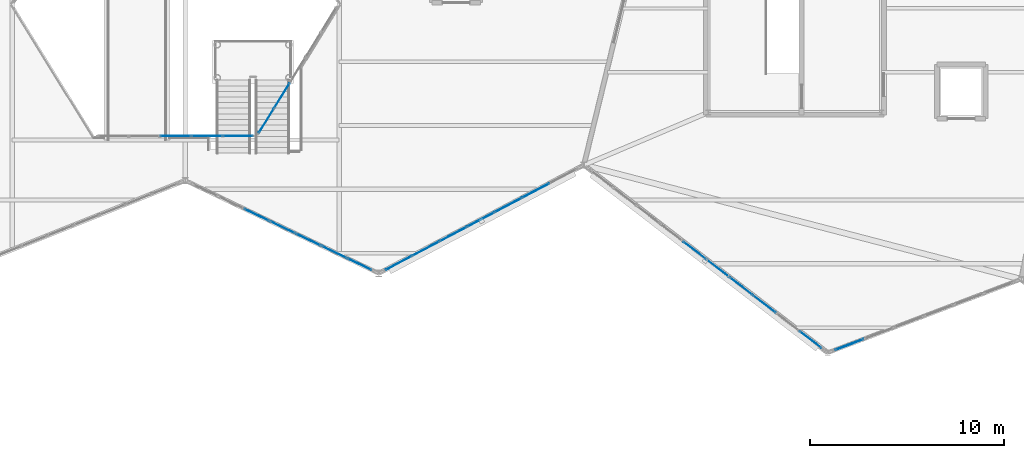
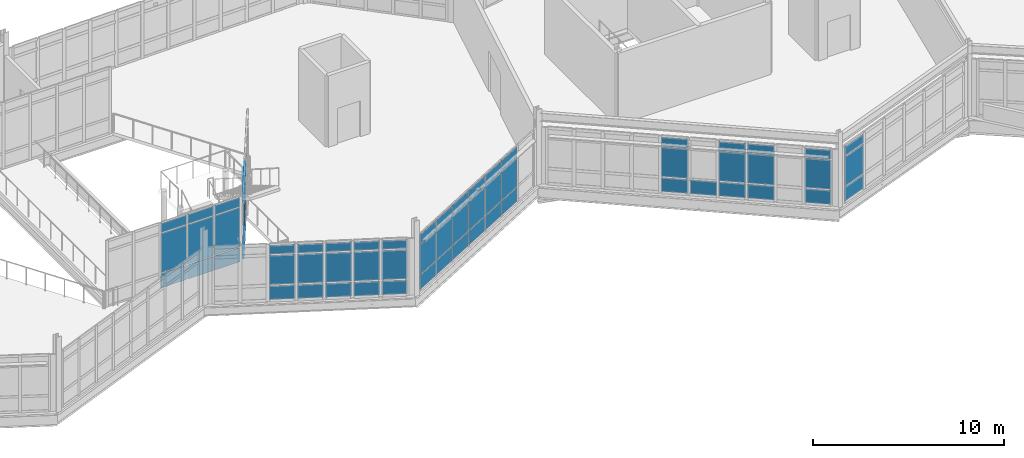
# One storey, part 46 of 76: 64 plates, 6 elements without a shape of their own.
"""IFC4 building model written with IfcOpenShell, lengths in metres."""

from ifc_helpers import new_model, si_unit, direction, frame, origin, origin_2d, place, context, subcontext, project, spatial, rectangle, extrude, material, layer, layer_set, type_object, element, aggregate, save


model = new_model("IFC4")

# Units and contexts
model_context = context("Model", 3, precision=1e-05, world=origin(), true_north=direction((0.0, 1.0)))
body_context = subcontext(model_context, "Body", "Model", "MODEL_VIEW")
ifc_project = project(units=[si_unit("LENGTHUNIT", "METRE"), si_unit("AREAUNIT", "SQUARE_METRE"), si_unit("VOLUMEUNIT", "CUBIC_METRE"), si_unit("PLANEANGLEUNIT", "RADIAN"), si_unit("MASSUNIT", "GRAM", prefix="KILO")], contexts=[model_context])

# Site, building, storey
site_placement = place(None, origin())
site = spatial("IfcSite", under=ifc_project, at=site_placement, CompositionType="ELEMENT")
building_placement = place(site_placement, origin())
building = spatial("IfcBuilding", under=site, at=building_placement, Name="Tameran Prism Museum", CompositionType="ELEMENT")
storey_placement = place(building_placement, frame((0.0, 0.0, 15.0)))
storey = spatial("IfcBuildingStorey", under=building, at=storey_placement, Name="L03", CompositionType="ELEMENT", Elevation=15.0)

# Curtain wall, plates
ifc_material_1 = material(Name="Anodised Aluminium 6063-T6 and Cyclone Solar Glass", Category="aluminium")
curtain_wall_type_1 = type_object("IfcCurtainWallType", Name="CW-ATR-810x424", PredefinedType="USERDEFINED", material=ifc_material_1)
curtain_wall_1_placement = place(storey_placement, origin())
curtain_wall_1 = element("IfcCurtainWall", 1, at=curtain_wall_1_placement, inside=storey, type_object=curtain_wall_type_1, Name="Unitised Curtain Wall CW-011", ObjectType="UNITISED CURTAIN WALL", PredefinedType="USERDEFINED")
ifc_material_2 = material(Name="Low-E Laminated Solar Glass", Category="glass")
ifc_layer_1 = layer(ifc_material_2, 0.028076171875)
ifc_layer_set_1 = layer_set([ifc_layer_1])
plate_type_1 = type_object("IfcPlateType", Name="CW-PNL-G28", PredefinedType="CURTAIN_PANEL", material=ifc_layer_set_1)
plate_1_placement = place(storey_placement, frame((77.0, 29.699951171875, 0.06494140625), z_axis=(0.0, 0.0, 1.0), x_axis=(1.0, 0.0, 0.0)))
plate_1 = element("IfcPlate", 2, at=plate_1_placement, type_object=plate_type_1, Name="CW-011 panel 3.1", PredefinedType="CURTAIN_PANEL", context=body_context, shape_type="SweptSolid", body=[
    extrude(rectangle(XDim=1.554931640625, YDim=0.028076171875, at=origin_2d()), origin(), (0.0, 0.0, 1.0), 0.902587890625),
])
plate_2_placement = place(storey_placement, frame((77.0, 29.699951171875, 1.032470703125), z_axis=(0.0, 0.0, 1.0), x_axis=(1.0, 0.0, 0.0)))
plate_2 = element("IfcPlate", 3, at=plate_2_placement, type_object=plate_type_1, Name="CW-011 panel 3.2", PredefinedType="CURTAIN_PANEL", context=body_context, shape_type="SweptSolid", body=[
    extrude(rectangle(XDim=1.554931640625, YDim=0.028076171875, at=origin_2d()), origin(), (0.0, 0.0, 1.0), 2.4951171875),
])
plate_3_placement = place(storey_placement, frame((77.0, 29.699951171875, 3.592529296875), z_axis=(0.0, 0.0, 1.0), x_axis=(1.0, 0.0, 0.0)))
plate_3 = element("IfcPlate", 4, at=plate_3_placement, type_object=plate_type_1, Name="CW-011 panel 3.3", PredefinedType="CURTAIN_PANEL", context=body_context, shape_type="SweptSolid", body=[
    extrude(rectangle(XDim=1.554931640625, YDim=0.028076171875, at=origin_2d()), origin(), (0.0, 0.0, 1.0), 0.58251953125),
])
plate_4_placement = place(storey_placement, frame((78.6201171875, 29.699951171875, 0.06494140625), z_axis=(0.0, 0.0, 1.0), x_axis=(1.0, 0.0, 0.0)))
plate_4 = element("IfcPlate", 5, at=plate_4_placement, type_object=plate_type_1, Name="CW-011 panel 4.1", PredefinedType="CURTAIN_PANEL", context=body_context, shape_type="SweptSolid", body=[
    extrude(rectangle(XDim=1.554931640625, YDim=0.028076171875, at=origin_2d()), origin(), (0.0, 0.0, 1.0), 0.902587890625),
])
plate_5_placement = place(storey_placement, frame((78.6201171875, 29.699951171875, 1.032470703125), z_axis=(0.0, 0.0, 1.0), x_axis=(1.0, 0.0, 0.0)))
plate_5 = element("IfcPlate", 6, at=plate_5_placement, type_object=plate_type_1, Name="CW-011 panel 4.2", PredefinedType="CURTAIN_PANEL", context=body_context, shape_type="SweptSolid", body=[
    extrude(rectangle(XDim=1.554931640625, YDim=0.028076171875, at=origin_2d()), origin(), (0.0, 0.0, 1.0), 2.4951171875),
])
plate_6_placement = place(storey_placement, frame((78.6201171875, 29.699951171875, 3.592529296875), z_axis=(0.0, 0.0, 1.0), x_axis=(1.0, 0.0, 0.0)))
plate_6 = element("IfcPlate", 7, at=plate_6_placement, type_object=plate_type_1, Name="CW-011 panel 4.3", PredefinedType="CURTAIN_PANEL", context=body_context, shape_type="SweptSolid", body=[
    extrude(rectangle(XDim=1.554931640625, YDim=0.028076171875, at=origin_2d()), origin(), (0.0, 0.0, 1.0), 0.58251953125),
])
plate_7_placement = place(storey_placement, frame((80.2236328125, 29.699951171875, 0.06494140625), z_axis=(0.0, 0.0, 1.0), x_axis=(1.0, 0.0, 0.0)))
plate_7 = element("IfcPlate", 8, at=plate_7_placement, type_object=plate_type_1, Name="CW-011 panel 5.1", PredefinedType="CURTAIN_PANEL", context=body_context, shape_type="SweptSolid", body=[
    extrude(rectangle(XDim=1.5224609375, YDim=0.028076171875, at=origin_2d()), origin(), (0.0, 0.0, 1.0), 0.902587890625),
])
plate_8_placement = place(storey_placement, frame((80.2236328125, 29.699951171875, 1.032470703125), z_axis=(0.0, 0.0, 1.0), x_axis=(1.0, 0.0, 0.0)))
plate_8 = element("IfcPlate", 9, at=plate_8_placement, type_object=plate_type_1, Name="CW-011 panel 5.2", PredefinedType="CURTAIN_PANEL", context=body_context, shape_type="SweptSolid", body=[
    extrude(rectangle(XDim=1.5224609375, YDim=0.028076171875, at=origin_2d()), origin(), (0.0, 0.0, 1.0), 2.4951171875),
])
plate_9_placement = place(storey_placement, frame((80.2236328125, 29.699951171875, 3.592529296875), z_axis=(0.0, 0.0, 1.0), x_axis=(1.0, 0.0, 0.0)))
plate_9 = element("IfcPlate", 10, at=plate_9_placement, type_object=plate_type_1, Name="CW-011 panel 5.3", PredefinedType="CURTAIN_PANEL", context=body_context, shape_type="SweptSolid", body=[
    extrude(rectangle(XDim=1.5224609375, YDim=0.028076171875, at=origin_2d()), origin(), (0.0, 0.0, 1.0), 0.58251953125),
])
aggregate(curtain_wall_1, [plate_1, plate_2, plate_3, plate_4, plate_5, plate_6, plate_7, plate_8, plate_9])

ifc_material_3 = material(Name="Anodised Aluminium 6063-T6 and Cyclone Solar Glass", Category="aluminium")
curtain_wall_type_2 = type_object("IfcCurtainWallType", Name="CW-ATR-769x424", PredefinedType="USERDEFINED", material=ifc_material_3)
curtain_wall_2_placement = place(storey_placement, origin())
curtain_wall_2 = element("IfcCurtainWall", 11, at=curtain_wall_2_placement, inside=storey, type_object=curtain_wall_type_2, Name="Unitised Curtain Wall CW-012", ObjectType="UNITISED CURTAIN WALL", PredefinedType="USERDEFINED")
plate_10_placement = place(storey_placement, frame((81.691650390625, 30.496337890625, 0.06494140625), z_axis=(0.0, 0.0, 1.0), x_axis=(0.525503952357, 0.850791158897, 0.0)))
plate_10 = element("IfcPlate", 12, at=plate_10_placement, type_object=plate_type_1, Name="CW-012 panel 1.1", PredefinedType="CURTAIN_PANEL", context=body_context, shape_type="SweptSolid", body=[
    extrude(rectangle(XDim=1.44091796875, YDim=0.028076171875, at=origin_2d()), origin(), (0.0, 0.0, 1.0), 0.902587890625),
])
plate_11_placement = place(storey_placement, frame((81.691650390625, 30.496337890625, 1.032470703125), z_axis=(0.0, 0.0, 1.0), x_axis=(0.525503952357, 0.850791158897, 0.0)))
plate_11 = element("IfcPlate", 13, at=plate_11_placement, type_object=plate_type_1, Name="CW-012 panel 1.2", PredefinedType="CURTAIN_PANEL", context=body_context, shape_type="SweptSolid", body=[
    extrude(rectangle(XDim=1.44091796875, YDim=0.028076171875, at=origin_2d()), origin(), (0.0, 0.0, 1.0), 2.4951171875),
])
plate_12_placement = place(storey_placement, frame((81.691650390625, 30.496337890625, 3.592529296875), z_axis=(0.0, 0.0, 1.0), x_axis=(0.525503952357, 0.850791158897, 0.0)))
plate_12 = element("IfcPlate", 14, at=plate_12_placement, type_object=plate_type_1, Name="CW-012 panel 1.3", PredefinedType="CURTAIN_PANEL", context=body_context, shape_type="SweptSolid", body=[
    extrude(rectangle(XDim=1.44091796875, YDim=0.028076171875, at=origin_2d()), origin(), (0.0, 0.0, 1.0), 0.58251953125),
])
plate_13_placement = place(storey_placement, frame((82.49169921875, 31.791259765625, 0.06494140625), z_axis=(0.0, 0.0, 1.0), x_axis=(0.525503952357, 0.850791158897, 0.0)))
plate_13 = element("IfcPlate", 15, at=plate_13_placement, type_object=plate_type_1, Name="CW-012 panel 2.1", PredefinedType="CURTAIN_PANEL", context=body_context, shape_type="SweptSolid", body=[
    extrude(rectangle(XDim=1.473388671875, YDim=0.028076171875, at=origin_2d()), origin(), (0.0, 0.0, 1.0), 0.902587890625),
])
plate_14_placement = place(storey_placement, frame((82.49169921875, 31.791259765625, 1.032470703125), z_axis=(0.0, 0.0, 1.0), x_axis=(0.525503952357, 0.850791158897, 0.0)))
plate_14 = element("IfcPlate", 16, at=plate_14_placement, type_object=plate_type_1, Name="CW-012 panel 2.2", PredefinedType="CURTAIN_PANEL", context=body_context, shape_type="SweptSolid", body=[
    extrude(rectangle(XDim=1.473388671875, YDim=0.028076171875, at=origin_2d()), origin(), (0.0, 0.0, 1.0), 2.4951171875),
])
plate_15_placement = place(storey_placement, frame((82.49169921875, 31.791259765625, 3.592529296875), z_axis=(0.0, 0.0, 1.0), x_axis=(0.525503952357, 0.850791158897, 0.0)))
plate_15 = element("IfcPlate", 17, at=plate_15_placement, type_object=plate_type_1, Name="CW-012 panel 2.3", PredefinedType="CURTAIN_PANEL", context=body_context, shape_type="SweptSolid", body=[
    extrude(rectangle(XDim=1.473388671875, YDim=0.028076171875, at=origin_2d()), origin(), (0.0, 0.0, 1.0), 0.58251953125),
])
aggregate(curtain_wall_2, [plate_10, plate_11, plate_12, plate_13, plate_14, plate_15])

ifc_material_4 = material(Name="Anodised Aluminium 6063-T6 and Cyclone Solar Glass", Category="aluminium")
curtain_wall_type_3 = type_object("IfcCurtainWallType", Name="CW-FAC-1033x362", PredefinedType="USERDEFINED", material=ifc_material_4)
curtain_wall_3_placement = place(storey_placement, origin())
curtain_wall_3 = element("IfcCurtainWall", 18, at=curtain_wall_3_placement, inside=storey, type_object=curtain_wall_type_3, Name="Unitised Curtain Wall CW-138", ObjectType="UNITISED CURTAIN WALL", PredefinedType="USERDEFINED")
ifc_material_5 = material(Name="Cyclone Laminated Solar Glass", Category="glass")
ifc_layer_2 = layer(ifc_material_5, 0.031982421875)
ifc_layer_set_2 = layer_set([ifc_layer_2])
plate_type_2 = type_object("IfcPlateType", Name="CW-PNL-G32", PredefinedType="CURTAIN_PANEL", material=ifc_layer_set_2)
plate_16_placement = place(storey_placement, frame((86.500732421875, 23.0791015625, 0.080078125), z_axis=(0.0, 0.0, 1.0), x_axis=(-0.901474721245, 0.432831753637, 0.0)))
plate_16 = element("IfcPlate", 19, at=plate_16_placement, type_object=plate_type_2, Name="CW-138 panel 1.1", PredefinedType="CURTAIN_PANEL", context=body_context, shape_type="SweptSolid", body=[
    extrude(rectangle(XDim=1.35595703125, YDim=0.031982421875, at=origin_2d()), origin(), (0.0, 0.0, 1.0), 0.8798828125),
])
plate_17_placement = place(storey_placement, frame((86.500732421875, 23.0791015625, 1.0400390625), z_axis=(0.0, 0.0, 1.0), x_axis=(-0.901474721245, 0.432831753637, 0.0)))
plate_17 = element("IfcPlate", 20, at=plate_17_placement, type_object=plate_type_2, Name="CW-138 panel 1.2", PredefinedType="CURTAIN_PANEL", context=body_context, shape_type="SweptSolid", body=[
    extrude(rectangle(XDim=1.35595703125, YDim=0.031982421875, at=origin_2d()), origin(), (0.0, 0.0, 1.0), 1.860107421875),
])
plate_18_placement = place(storey_placement, frame((86.500732421875, 23.0791015625, 2.97998046875), z_axis=(0.0, 0.0, 1.0), x_axis=(-0.901474721245, 0.432831753637, 0.0)))
plate_18 = element("IfcPlate", 21, at=plate_18_placement, type_object=plate_type_2, Name="CW-138 panel 1.3", PredefinedType="CURTAIN_PANEL", context=body_context, shape_type="SweptSolid", body=[
    extrude(rectangle(XDim=1.35595703125, YDim=0.031982421875, at=origin_2d()), origin(), (0.0, 0.0, 1.0), 0.56005859375),
])
plate_19_placement = place(storey_placement, frame((85.188232421875, 23.709228515625, 0.080078125), z_axis=(0.0, 0.0, 1.0), x_axis=(-0.901474721245, 0.432831753637, 0.0)))
plate_19 = element("IfcPlate", 22, at=plate_19_placement, type_object=plate_type_2, Name="CW-138 panel 2.1", PredefinedType="CURTAIN_PANEL", context=body_context, shape_type="SweptSolid", body=[
    extrude(rectangle(XDim=1.39599609375, YDim=0.031982421875, at=origin_2d()), origin(), (0.0, 0.0, 1.0), 0.8798828125),
])
plate_20_placement = place(storey_placement, frame((85.188232421875, 23.709228515625, 1.0400390625), z_axis=(0.0, 0.0, 1.0), x_axis=(-0.901474721245, 0.432831753637, 0.0)))
plate_20 = element("IfcPlate", 23, at=plate_20_placement, type_object=plate_type_2, Name="CW-138 panel 2.2", PredefinedType="CURTAIN_PANEL", context=body_context, shape_type="SweptSolid", body=[
    extrude(rectangle(XDim=1.39599609375, YDim=0.031982421875, at=origin_2d()), origin(), (0.0, 0.0, 1.0), 1.860107421875),
])
plate_21_placement = place(storey_placement, frame((85.188232421875, 23.709228515625, 2.97998046875), z_axis=(0.0, 0.0, 1.0), x_axis=(-0.901474721245, 0.432831753637, 0.0)))
plate_21 = element("IfcPlate", 24, at=plate_21_placement, type_object=plate_type_2, Name="CW-138 panel 2.3", PredefinedType="CURTAIN_PANEL", context=body_context, shape_type="SweptSolid", body=[
    extrude(rectangle(XDim=1.39599609375, YDim=0.031982421875, at=origin_2d()), origin(), (0.0, 0.0, 1.0), 0.56005859375),
])
plate_22_placement = place(storey_placement, frame((83.857666015625, 24.34814453125, 0.080078125), z_axis=(0.0, 0.0, 1.0), x_axis=(-0.901474721245, 0.432831753637, 0.0)))
plate_22 = element("IfcPlate", 25, at=plate_22_placement, type_object=plate_type_2, Name="CW-138 panel 3.1", PredefinedType="CURTAIN_PANEL", context=body_context, shape_type="SweptSolid", body=[
    extrude(rectangle(XDim=1.39599609375, YDim=0.031982421875, at=origin_2d()), origin(), (0.0, 0.0, 1.0), 0.8798828125),
])
plate_23_placement = place(storey_placement, frame((83.857666015625, 24.34814453125, 1.0400390625), z_axis=(0.0, 0.0, 1.0), x_axis=(-0.901474721245, 0.432831753637, 0.0)))
plate_23 = element("IfcPlate", 26, at=plate_23_placement, type_object=plate_type_2, Name="CW-138 panel 3.2", PredefinedType="CURTAIN_PANEL", context=body_context, shape_type="SweptSolid", body=[
    extrude(rectangle(XDim=1.39599609375, YDim=0.031982421875, at=origin_2d()), origin(), (0.0, 0.0, 1.0), 1.860107421875),
])
plate_24_placement = place(storey_placement, frame((83.857666015625, 24.34814453125, 2.97998046875), z_axis=(0.0, 0.0, 1.0), x_axis=(-0.901474721245, 0.432831753637, 0.0)))
plate_24 = element("IfcPlate", 27, at=plate_24_placement, type_object=plate_type_2, Name="CW-138 panel 3.3", PredefinedType="CURTAIN_PANEL", context=body_context, shape_type="SweptSolid", body=[
    extrude(rectangle(XDim=1.39599609375, YDim=0.031982421875, at=origin_2d()), origin(), (0.0, 0.0, 1.0), 0.56005859375),
])
plate_25_placement = place(storey_placement, frame((82.527099609375, 24.987060546875, 0.080078125), z_axis=(0.0, 0.0, 1.0), x_axis=(-0.901474721245, 0.432831753637, 0.0)))
plate_25 = element("IfcPlate", 28, at=plate_25_placement, type_object=plate_type_2, Name="CW-138 panel 4.1", PredefinedType="CURTAIN_PANEL", context=body_context, shape_type="SweptSolid", body=[
    extrude(rectangle(XDim=1.39599609375, YDim=0.031982421875, at=origin_2d()), origin(), (0.0, 0.0, 1.0), 0.8798828125),
])
plate_26_placement = place(storey_placement, frame((82.527099609375, 24.987060546875, 1.0400390625), z_axis=(0.0, 0.0, 1.0), x_axis=(-0.901474721245, 0.432831753637, 0.0)))
plate_26 = element("IfcPlate", 29, at=plate_26_placement, type_object=plate_type_2, Name="CW-138 panel 4.2", PredefinedType="CURTAIN_PANEL", context=body_context, shape_type="SweptSolid", body=[
    extrude(rectangle(XDim=1.39599609375, YDim=0.031982421875, at=origin_2d()), origin(), (0.0, 0.0, 1.0), 1.860107421875),
])
plate_27_placement = place(storey_placement, frame((82.527099609375, 24.987060546875, 2.97998046875), z_axis=(0.0, 0.0, 1.0), x_axis=(-0.901474721245, 0.432831753637, 0.0)))
plate_27 = element("IfcPlate", 30, at=plate_27_placement, type_object=plate_type_2, Name="CW-138 panel 4.3", PredefinedType="CURTAIN_PANEL", context=body_context, shape_type="SweptSolid", body=[
    extrude(rectangle(XDim=1.39599609375, YDim=0.031982421875, at=origin_2d()), origin(), (0.0, 0.0, 1.0), 0.56005859375),
])
plate_28_placement = place(storey_placement, frame((81.196533203125, 25.6259765625, 0.080078125), z_axis=(0.0, 0.0, 1.0), x_axis=(-0.901474721245, 0.432831753637, 0.0)))
plate_28 = element("IfcPlate", 31, at=plate_28_placement, type_object=plate_type_2, Name="CW-138 panel 5.1", PredefinedType="CURTAIN_PANEL", context=body_context, shape_type="SweptSolid", body=[
    extrude(rectangle(XDim=1.39599609375, YDim=0.031982421875, at=origin_2d()), origin(), (0.0, 0.0, 1.0), 0.8798828125),
])
plate_29_placement = place(storey_placement, frame((81.196533203125, 25.6259765625, 1.0400390625), z_axis=(0.0, 0.0, 1.0), x_axis=(-0.901474721245, 0.432831753637, 0.0)))
plate_29 = element("IfcPlate", 32, at=plate_29_placement, type_object=plate_type_2, Name="CW-138 panel 5.2", PredefinedType="CURTAIN_PANEL", context=body_context, shape_type="SweptSolid", body=[
    extrude(rectangle(XDim=1.39599609375, YDim=0.031982421875, at=origin_2d()), origin(), (0.0, 0.0, 1.0), 1.860107421875),
])
plate_30_placement = place(storey_placement, frame((81.196533203125, 25.6259765625, 2.97998046875), z_axis=(0.0, 0.0, 1.0), x_axis=(-0.901474721245, 0.432831753637, 0.0)))
plate_30 = element("IfcPlate", 33, at=plate_30_placement, type_object=plate_type_2, Name="CW-138 panel 5.3", PredefinedType="CURTAIN_PANEL", context=body_context, shape_type="SweptSolid", body=[
    extrude(rectangle(XDim=1.39599609375, YDim=0.031982421875, at=origin_2d()), origin(), (0.0, 0.0, 1.0), 0.56005859375),
])
aggregate(curtain_wall_3, [plate_16, plate_17, plate_18, plate_19, plate_20, plate_21, plate_22, plate_23, plate_24, plate_25, plate_26, plate_27, plate_28, plate_29, plate_30])

ifc_material_6 = material(Name="Anodised Aluminium 6063-T6 and Cyclone Solar Glass", Category="aluminium")
curtain_wall_type_4 = type_object("IfcCurtainWallType", Name="CW-FAC-1514x362", PredefinedType="USERDEFINED", material=ifc_material_6)
curtain_wall_4_placement = place(storey_placement, origin())
curtain_wall_4 = element("IfcCurtainWall", 34, at=curtain_wall_4_placement, inside=storey, type_object=curtain_wall_type_4, Name="Unitised Curtain Wall CW-145", ObjectType="UNITISED CURTAIN WALL", PredefinedType="USERDEFINED")
plate_31_placement = place(storey_placement, frame((109.80810546875, 19.186279296875, 0.0751953125), z_axis=(0.0, 0.0, 1.0), x_axis=(-0.79240053299, 0.610001143702, 0.0)))
plate_31 = element("IfcPlate", 35, at=plate_31_placement, type_object=plate_type_2, Name="CW-145 panel 1.1", PredefinedType="CURTAIN_PANEL", context=body_context, shape_type="SweptSolid", body=[
    extrude(rectangle(XDim=1.40185546875, YDim=0.031982421875, at=origin_2d()), origin(), (0.0, 0.0, 1.0), 0.887451171875),
])
plate_32_placement = place(storey_placement, frame((109.80810546875, 19.186279296875, 1.03759765625), z_axis=(0.0, 0.0, 1.0), x_axis=(-0.79240053299, 0.610001143702, 0.0)))
plate_32 = element("IfcPlate", 36, at=plate_32_placement, type_object=plate_type_2, Name="CW-145 panel 1.2", PredefinedType="CURTAIN_PANEL", context=body_context, shape_type="SweptSolid", body=[
    extrude(rectangle(XDim=1.40185546875, YDim=0.031982421875, at=origin_2d()), origin(), (0.0, 0.0, 1.0), 1.864990234375),
])
plate_33_placement = place(storey_placement, frame((109.80810546875, 19.186279296875, 2.9775390625), z_axis=(0.0, 0.0, 1.0), x_axis=(-0.79240053299, 0.610001143702, 0.0)))
plate_33 = element("IfcPlate", 37, at=plate_33_placement, type_object=plate_type_2, Name="CW-145 panel 1.3", PredefinedType="CURTAIN_PANEL", context=body_context, shape_type="SweptSolid", body=[
    extrude(rectangle(XDim=1.40185546875, YDim=0.031982421875, at=origin_2d()), origin(), (0.0, 0.0, 1.0), 0.5673828125),
])
plate_34_placement = place(storey_placement, frame((107.42333984375, 21.022216796875, 0.0751953125), z_axis=(0.0, 0.0, 1.0), x_axis=(-0.79240053299, 0.610001143702, 0.0)))
plate_34 = element("IfcPlate", 38, at=plate_34_placement, type_object=plate_type_2, Name="CW-145 panel 3.1", PredefinedType="CURTAIN_PANEL", context=body_context, shape_type="SweptSolid", body=[
    extrude(rectangle(XDim=1.439208984375, YDim=0.031982421875, at=origin_2d()), origin(), (0.0, 0.0, 1.0), 0.887451171875),
])
plate_35_placement = place(storey_placement, frame((107.42333984375, 21.022216796875, 1.03759765625), z_axis=(0.0, 0.0, 1.0), x_axis=(-0.79240053299, 0.610001143702, 0.0)))
plate_35 = element("IfcPlate", 39, at=plate_35_placement, type_object=plate_type_2, Name="CW-145 panel 3.2", PredefinedType="CURTAIN_PANEL", context=body_context, shape_type="SweptSolid", body=[
    extrude(rectangle(XDim=1.439208984375, YDim=0.031982421875, at=origin_2d()), origin(), (0.0, 0.0, 1.0), 1.864990234375),
])
plate_36_placement = place(storey_placement, frame((107.42333984375, 21.022216796875, 2.9775390625), z_axis=(0.0, 0.0, 1.0), x_axis=(-0.79240053299, 0.610001143702, 0.0)))
plate_36 = element("IfcPlate", 40, at=plate_36_placement, type_object=plate_type_2, Name="CW-145 panel 3.3", PredefinedType="CURTAIN_PANEL", context=body_context, shape_type="SweptSolid", body=[
    extrude(rectangle(XDim=1.439208984375, YDim=0.031982421875, at=origin_2d()), origin(), (0.0, 0.0, 1.0), 0.5673828125),
])
plate_37_placement = place(storey_placement, frame((106.223388671875, 21.946044921875, 0.0751953125), z_axis=(0.0, 0.0, 1.0), x_axis=(-0.79240053299, 0.610001143702, 0.0)))
plate_37 = element("IfcPlate", 41, at=plate_37_placement, type_object=plate_type_2, Name="CW-145 panel 4.1", PredefinedType="CURTAIN_PANEL", context=body_context, shape_type="SweptSolid", body=[
    extrude(rectangle(XDim=1.439208984375, YDim=0.031982421875, at=origin_2d()), origin(), (0.0, 0.0, 1.0), 0.887451171875),
])
plate_38_placement = place(storey_placement, frame((106.223388671875, 21.946044921875, 1.03759765625), z_axis=(0.0, 0.0, 1.0), x_axis=(-0.79240053299, 0.610001143702, 0.0)))
plate_38 = element("IfcPlate", 42, at=plate_38_placement, type_object=plate_type_2, Name="CW-145 panel 4.2", PredefinedType="CURTAIN_PANEL", context=body_context, shape_type="SweptSolid", body=[
    extrude(rectangle(XDim=1.439208984375, YDim=0.031982421875, at=origin_2d()), origin(), (0.0, 0.0, 1.0), 1.864990234375),
])
plate_39_placement = place(storey_placement, frame((106.223388671875, 21.946044921875, 2.9775390625), z_axis=(0.0, 0.0, 1.0), x_axis=(-0.79240053299, 0.610001143702, 0.0)))
plate_39 = element("IfcPlate", 43, at=plate_39_placement, type_object=plate_type_2, Name="CW-145 panel 4.3", PredefinedType="CURTAIN_PANEL", context=body_context, shape_type="SweptSolid", body=[
    extrude(rectangle(XDim=1.439208984375, YDim=0.031982421875, at=origin_2d()), origin(), (0.0, 0.0, 1.0), 0.5673828125),
])
plate_40_placement = place(storey_placement, frame((105.0234375, 22.86962890625, 0.0751953125), z_axis=(0.0, 0.0, 1.0), x_axis=(-0.79240053299, 0.610001143702, 0.0)))
plate_40 = element("IfcPlate", 44, at=plate_40_placement, type_object=plate_type_2, Name="CW-145 panel 5.1", PredefinedType="CURTAIN_PANEL", context=body_context, shape_type="SweptSolid", body=[
    extrude(rectangle(XDim=1.439208984375, YDim=0.031982421875, at=origin_2d()), origin(), (0.0, 0.0, 1.0), 0.887451171875),
])
plate_41_placement = place(storey_placement, frame((103.823486328125, 23.79345703125, 0.0751953125), z_axis=(0.0, 0.0, 1.0), x_axis=(-0.79240053299, 0.610001143702, 0.0)))
plate_41 = element("IfcPlate", 45, at=plate_41_placement, type_object=plate_type_2, Name="CW-145 panel 6.1", PredefinedType="CURTAIN_PANEL", context=body_context, shape_type="SweptSolid", body=[
    extrude(rectangle(XDim=1.439208984375, YDim=0.031982421875, at=origin_2d()), origin(), (0.0, 0.0, 1.0), 0.887451171875),
])
plate_42_placement = place(storey_placement, frame((103.823486328125, 23.79345703125, 1.03759765625), z_axis=(0.0, 0.0, 1.0), x_axis=(-0.79240053299, 0.610001143702, 0.0)))
plate_42 = element("IfcPlate", 46, at=plate_42_placement, type_object=plate_type_2, Name="CW-145 panel 6.2", PredefinedType="CURTAIN_PANEL", context=body_context, shape_type="SweptSolid", body=[
    extrude(rectangle(XDim=1.439208984375, YDim=0.031982421875, at=origin_2d()), origin(), (0.0, 0.0, 1.0), 1.864990234375),
])
plate_43_placement = place(storey_placement, frame((103.823486328125, 23.79345703125, 2.9775390625), z_axis=(0.0, 0.0, 1.0), x_axis=(-0.79240053299, 0.610001143702, 0.0)))
plate_43 = element("IfcPlate", 47, at=plate_43_placement, type_object=plate_type_2, Name="CW-145 panel 6.3", PredefinedType="CURTAIN_PANEL", context=body_context, shape_type="SweptSolid", body=[
    extrude(rectangle(XDim=1.439208984375, YDim=0.031982421875, at=origin_2d()), origin(), (0.0, 0.0, 1.0), 0.5673828125),
])
aggregate(curtain_wall_4, [plate_31, plate_32, plate_33, plate_34, plate_35, plate_36, plate_37, plate_38, plate_39, plate_40, plate_41, plate_42, plate_43])

ifc_material_7 = material(Name="Anodised Aluminium 6063-T6 and Cyclone Solar Glass", Category="aluminium")
curtain_wall_type_5 = type_object("IfcCurtainWallType", Name="CW-FAC-1123x362", PredefinedType="USERDEFINED", material=ifc_material_7)
curtain_wall_5_placement = place(storey_placement, origin())
curtain_wall_5 = element("IfcCurtainWall", 48, at=curtain_wall_5_placement, inside=storey, type_object=curtain_wall_type_5, Name="Unitised Curtain Wall CW-139", ObjectType="UNITISED CURTAIN WALL", PredefinedType="USERDEFINED")
ifc_material_8 = material(Name="Insulated Aluminium Spandrel Panel", Category="aluminium")
ifc_layer_3 = layer(ifc_material_8, 0.0400390625)
ifc_layer_set_3 = layer_set([ifc_layer_3])
plate_type_3 = type_object("IfcPlateType", Name="CW-PNL-S40", PredefinedType="CURTAIN_PANEL", material=ifc_layer_set_3)
plate_44_placement = place(storey_placement, frame((95.6103515625, 26.884765625, 0.06494140625), z_axis=(0.0, 0.0, 1.0), x_axis=(-0.884175340483, -0.467155185438, 0.0)))
plate_44 = element("IfcPlate", 49, at=plate_44_placement, type_object=plate_type_3, Name="CW-139 panel 2.1", PredefinedType="CURTAIN_PANEL", context=body_context, shape_type="SweptSolid", body=[
    extrude(rectangle(XDim=1.539306640625, YDim=0.0400390625, at=origin_2d()), origin(), (0.0, 0.0, 1.0), 0.902587890625),
])
plate_45_placement = place(storey_placement, frame((95.6103515625, 26.884765625, 1.032470703125), z_axis=(0.0, 0.0, 1.0), x_axis=(-0.884175340483, -0.467155185438, 0.0)))
plate_45 = element("IfcPlate", 50, at=plate_45_placement, type_object=plate_type_3, Name="CW-139 panel 2.2", PredefinedType="CURTAIN_PANEL", context=body_context, shape_type="SweptSolid", body=[
    extrude(rectangle(XDim=1.539306640625, YDim=0.0400390625, at=origin_2d()), origin(), (0.0, 0.0, 1.0), 1.875),
])
plate_46_placement = place(storey_placement, frame((95.6103515625, 26.884765625, 2.972412109375), z_axis=(0.0, 0.0, 1.0), x_axis=(-0.884175340483, -0.467155185438, 0.0)))
plate_46 = element("IfcPlate", 51, at=plate_46_placement, type_object=plate_type_3, Name="CW-139 panel 2.3", PredefinedType="CURTAIN_PANEL", context=body_context, shape_type="SweptSolid", body=[
    extrude(rectangle(XDim=1.539306640625, YDim=0.0400390625, at=origin_2d()), origin(), (0.0, 0.0, 1.0), 0.58251953125),
])
plate_47_placement = place(storey_placement, frame((94.19189453125, 26.135498046875, 0.06494140625), z_axis=(0.0, 0.0, 1.0), x_axis=(-0.884175340483, -0.467155185438, 0.0)))
plate_47 = element("IfcPlate", 52, at=plate_47_placement, type_object=plate_type_3, Name="CW-139 panel 3.1", PredefinedType="CURTAIN_PANEL", context=body_context, shape_type="SweptSolid", body=[
    extrude(rectangle(XDim=1.539306640625, YDim=0.0400390625, at=origin_2d()), origin(), (0.0, 0.0, 1.0), 0.902587890625),
])
plate_48_placement = place(storey_placement, frame((94.19189453125, 26.135498046875, 1.032470703125), z_axis=(0.0, 0.0, 1.0), x_axis=(-0.884175340483, -0.467155185438, 0.0)))
plate_48 = element("IfcPlate", 53, at=plate_48_placement, type_object=plate_type_3, Name="CW-139 panel 3.2", PredefinedType="CURTAIN_PANEL", context=body_context, shape_type="SweptSolid", body=[
    extrude(rectangle(XDim=1.539306640625, YDim=0.0400390625, at=origin_2d()), origin(), (0.0, 0.0, 1.0), 1.875),
])
plate_49_placement = place(storey_placement, frame((94.19189453125, 26.135498046875, 2.972412109375), z_axis=(0.0, 0.0, 1.0), x_axis=(-0.884175340483, -0.467155185438, 0.0)))
plate_49 = element("IfcPlate", 54, at=plate_49_placement, type_object=plate_type_3, Name="CW-139 panel 3.3", PredefinedType="CURTAIN_PANEL", context=body_context, shape_type="SweptSolid", body=[
    extrude(rectangle(XDim=1.539306640625, YDim=0.0400390625, at=origin_2d()), origin(), (0.0, 0.0, 1.0), 0.58251953125),
])
plate_50_placement = place(storey_placement, frame((92.7734375, 25.385986328125, 0.06494140625), z_axis=(0.0, 0.0, 1.0), x_axis=(-0.884175340483, -0.467155185438, 0.0)))
plate_50 = element("IfcPlate", 55, at=plate_50_placement, type_object=plate_type_3, Name="CW-139 panel 4.1", PredefinedType="CURTAIN_PANEL", context=body_context, shape_type="SweptSolid", body=[
    extrude(rectangle(XDim=1.539306640625, YDim=0.0400390625, at=origin_2d()), origin(), (0.0, 0.0, 1.0), 0.902587890625),
])
plate_51_placement = place(storey_placement, frame((92.7734375, 25.385986328125, 1.032470703125), z_axis=(0.0, 0.0, 1.0), x_axis=(-0.884175340483, -0.467155185438, 0.0)))
plate_51 = element("IfcPlate", 56, at=plate_51_placement, type_object=plate_type_3, Name="CW-139 panel 4.2", PredefinedType="CURTAIN_PANEL", context=body_context, shape_type="SweptSolid", body=[
    extrude(rectangle(XDim=1.539306640625, YDim=0.0400390625, at=origin_2d()), origin(), (0.0, 0.0, 1.0), 1.875),
])
plate_52_placement = place(storey_placement, frame((92.7734375, 25.385986328125, 2.972412109375), z_axis=(0.0, 0.0, 1.0), x_axis=(-0.884175340483, -0.467155185438, 0.0)))
plate_52 = element("IfcPlate", 57, at=plate_52_placement, type_object=plate_type_3, Name="CW-139 panel 4.3", PredefinedType="CURTAIN_PANEL", context=body_context, shape_type="SweptSolid", body=[
    extrude(rectangle(XDim=1.539306640625, YDim=0.0400390625, at=origin_2d()), origin(), (0.0, 0.0, 1.0), 0.58251953125),
])
plate_53_placement = place(storey_placement, frame((91.35498046875, 24.636474609375, 0.06494140625), z_axis=(0.0, 0.0, 1.0), x_axis=(-0.884175340483, -0.467155185438, 0.0)))
plate_53 = element("IfcPlate", 58, at=plate_53_placement, type_object=plate_type_3, Name="CW-139 panel 5.1", PredefinedType="CURTAIN_PANEL", context=body_context, shape_type="SweptSolid", body=[
    extrude(rectangle(XDim=1.539306640625, YDim=0.0400390625, at=origin_2d()), origin(), (0.0, 0.0, 1.0), 0.902587890625),
])
plate_54_placement = place(storey_placement, frame((91.35498046875, 24.636474609375, 1.032470703125), z_axis=(0.0, 0.0, 1.0), x_axis=(-0.884175340483, -0.467155185438, 0.0)))
plate_54 = element("IfcPlate", 59, at=plate_54_placement, type_object=plate_type_3, Name="CW-139 panel 5.2", PredefinedType="CURTAIN_PANEL", context=body_context, shape_type="SweptSolid", body=[
    extrude(rectangle(XDim=1.539306640625, YDim=0.0400390625, at=origin_2d()), origin(), (0.0, 0.0, 1.0), 1.875),
])
plate_55_placement = place(storey_placement, frame((91.35498046875, 24.636474609375, 2.972412109375), z_axis=(0.0, 0.0, 1.0), x_axis=(-0.884175340483, -0.467155185438, 0.0)))
plate_55 = element("IfcPlate", 60, at=plate_55_placement, type_object=plate_type_3, Name="CW-139 panel 5.3", PredefinedType="CURTAIN_PANEL", context=body_context, shape_type="SweptSolid", body=[
    extrude(rectangle(XDim=1.539306640625, YDim=0.0400390625, at=origin_2d()), origin(), (0.0, 0.0, 1.0), 0.58251953125),
])
plate_56_placement = place(storey_placement, frame((89.9365234375, 23.88720703125, 0.06494140625), z_axis=(0.0, 0.0, 1.0), x_axis=(-0.884175340483, -0.467155185438, 0.0)))
plate_56 = element("IfcPlate", 61, at=plate_56_placement, type_object=plate_type_3, Name="CW-139 panel 6.1", PredefinedType="CURTAIN_PANEL", context=body_context, shape_type="SweptSolid", body=[
    extrude(rectangle(XDim=1.539306640625, YDim=0.0400390625, at=origin_2d()), origin(), (0.0, 0.0, 1.0), 0.902587890625),
])
plate_57_placement = place(storey_placement, frame((89.9365234375, 23.88720703125, 1.032470703125), z_axis=(0.0, 0.0, 1.0), x_axis=(-0.884175340483, -0.467155185438, 0.0)))
plate_57 = element("IfcPlate", 62, at=plate_57_placement, type_object=plate_type_3, Name="CW-139 panel 6.2", PredefinedType="CURTAIN_PANEL", context=body_context, shape_type="SweptSolid", body=[
    extrude(rectangle(XDim=1.539306640625, YDim=0.0400390625, at=origin_2d()), origin(), (0.0, 0.0, 1.0), 1.875),
])
plate_58_placement = place(storey_placement, frame((89.9365234375, 23.88720703125, 2.972412109375), z_axis=(0.0, 0.0, 1.0), x_axis=(-0.884175340483, -0.467155185438, 0.0)))
plate_58 = element("IfcPlate", 63, at=plate_58_placement, type_object=plate_type_3, Name="CW-139 panel 6.3", PredefinedType="CURTAIN_PANEL", context=body_context, shape_type="SweptSolid", body=[
    extrude(rectangle(XDim=1.539306640625, YDim=0.0400390625, at=origin_2d()), origin(), (0.0, 0.0, 1.0), 0.58251953125),
])
plate_59_placement = place(storey_placement, frame((88.532470703125, 23.145263671875, 0.06494140625), z_axis=(0.0, 0.0, 1.0), x_axis=(-0.884175340483, -0.467155185438, 0.0)))
plate_59 = element("IfcPlate", 64, at=plate_59_placement, type_object=plate_type_3, Name="CW-139 panel 7.1", PredefinedType="CURTAIN_PANEL", context=body_context, shape_type="SweptSolid", body=[
    extrude(rectangle(XDim=1.5068359375, YDim=0.0400390625, at=origin_2d()), origin(), (0.0, 0.0, 1.0), 0.902587890625),
])
plate_60_placement = place(storey_placement, frame((88.532470703125, 23.145263671875, 1.032470703125), z_axis=(0.0, 0.0, 1.0), x_axis=(-0.884175340483, -0.467155185438, 0.0)))
plate_60 = element("IfcPlate", 65, at=plate_60_placement, type_object=plate_type_3, Name="CW-139 panel 7.2", PredefinedType="CURTAIN_PANEL", context=body_context, shape_type="SweptSolid", body=[
    extrude(rectangle(XDim=1.5068359375, YDim=0.0400390625, at=origin_2d()), origin(), (0.0, 0.0, 1.0), 1.875),
])
plate_61_placement = place(storey_placement, frame((88.532470703125, 23.145263671875, 2.972412109375), z_axis=(0.0, 0.0, 1.0), x_axis=(-0.884175340483, -0.467155185438, 0.0)))
plate_61 = element("IfcPlate", 66, at=plate_61_placement, type_object=plate_type_3, Name="CW-139 panel 7.3", PredefinedType="CURTAIN_PANEL", context=body_context, shape_type="SweptSolid", body=[
    extrude(rectangle(XDim=1.5068359375, YDim=0.0400390625, at=origin_2d()), origin(), (0.0, 0.0, 1.0), 0.58251953125),
])
aggregate(curtain_wall_5, [plate_44, plate_45, plate_46, plate_47, plate_48, plate_49, plate_50, plate_51, plate_52, plate_53, plate_54, plate_55, plate_56, plate_57, plate_58, plate_59, plate_60, plate_61])

ifc_material_9 = material(Name="Anodised Aluminium 6063-T6 and Cyclone Solar Glass", Category="aluminium")
curtain_wall_type_6 = type_object("IfcCurtainWallType", Name="CW-FAC-994x362", PredefinedType="USERDEFINED", material=ifc_material_9)
curtain_wall_6_placement = place(storey_placement, origin())
curtain_wall_6 = element("IfcCurtainWall", 67, at=curtain_wall_6_placement, inside=storey, type_object=curtain_wall_type_6, Name="Unitised Curtain Wall CW-146", ObjectType="UNITISED CURTAIN WALL", PredefinedType="USERDEFINED")
plate_62_placement = place(storey_placement, frame((111.81982421875, 18.92529296875, 0.080078125), z_axis=(0.0, 0.0, 1.0), x_axis=(-0.934756849189, -0.355288098442, 0.0)))
plate_62 = element("IfcPlate", 68, at=plate_62_placement, type_object=plate_type_3, Name="CW-146 panel 6.1", PredefinedType="CURTAIN_PANEL", context=body_context, shape_type="SweptSolid", body=[
    extrude(rectangle(XDim=1.536376953125, YDim=0.0400390625, at=origin_2d()), origin(), (0.0, 0.0, 1.0), 0.8798828125),
])
plate_63_placement = place(storey_placement, frame((111.81982421875, 18.92529296875, 1.0400390625), z_axis=(0.0, 0.0, 1.0), x_axis=(-0.934756849189, -0.355288098442, 0.0)))
plate_63 = element("IfcPlate", 69, at=plate_63_placement, type_object=plate_type_3, Name="CW-146 panel 6.2", PredefinedType="CURTAIN_PANEL", context=body_context, shape_type="SweptSolid", body=[
    extrude(rectangle(XDim=1.536376953125, YDim=0.0400390625, at=origin_2d()), origin(), (0.0, 0.0, 1.0), 1.860107421875),
])
plate_64_placement = place(storey_placement, frame((111.81982421875, 18.92529296875, 2.97998046875), z_axis=(0.0, 0.0, 1.0), x_axis=(-0.934756849189, -0.355288098442, 0.0)))
plate_64 = element("IfcPlate", 70, at=plate_64_placement, type_object=plate_type_3, Name="CW-146 panel 6.3", PredefinedType="CURTAIN_PANEL", context=body_context, shape_type="SweptSolid", body=[
    extrude(rectangle(XDim=1.536376953125, YDim=0.0400390625, at=origin_2d()), origin(), (0.0, 0.0, 1.0), 0.56005859375),
])
aggregate(curtain_wall_6, [plate_62, plate_63, plate_64])

save(model, "model.ifc")
